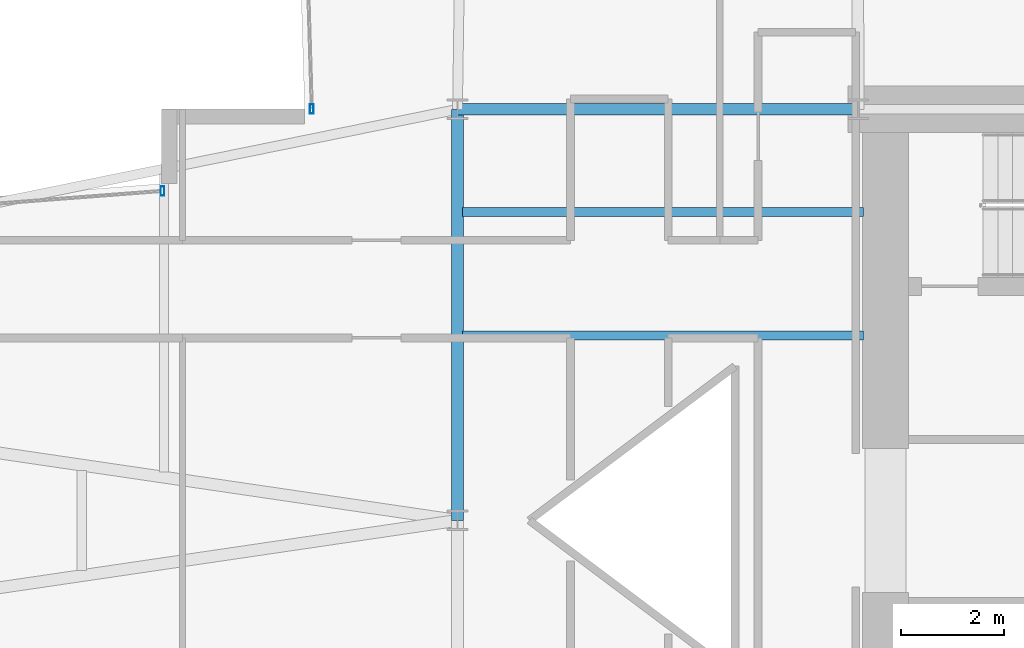
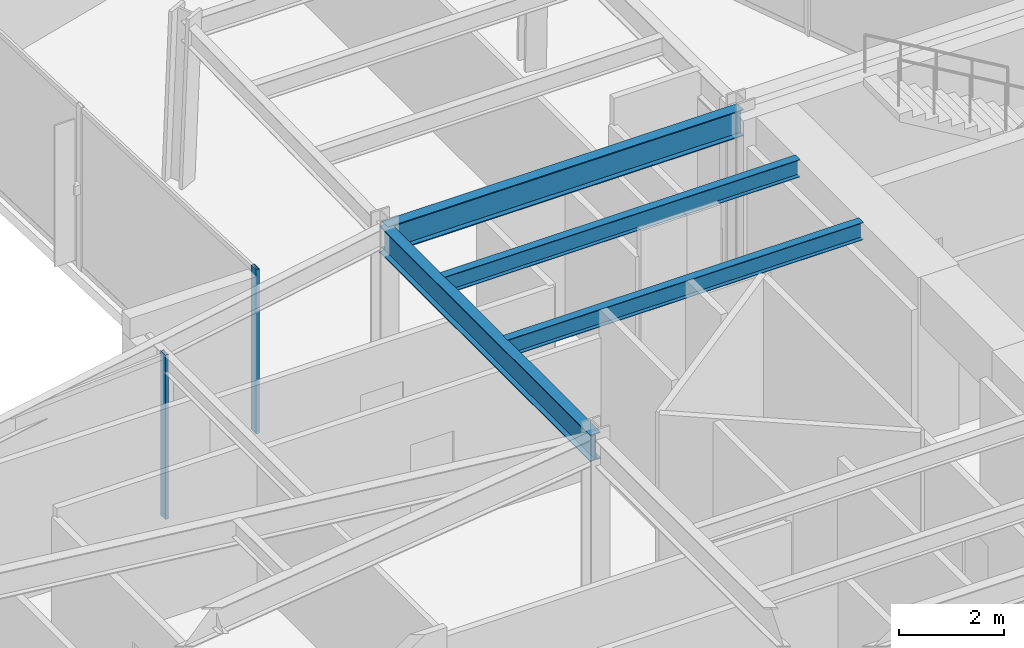
# One storey, part 12 of 28: 4 beams, 2 members, 2 elements without a shape of their own.
"""IFC4 building model written with IfcOpenShell, lengths in metres."""

from ifc_helpers import new_model, si_unit, direction, frame, origin, origin_2d, place, context, subcontext, project, spatial, hollow_rectangle, i_section, extrude, material, layer, layer_set, material_profile, profile_set, type_object, element, aggregate, save


model = new_model("IFC4")

# Units and contexts
model_context = context("Model", 3, precision=1e-05, world=origin(), true_north=direction((0.0, 1.0)))
body_context = subcontext(model_context, "Body", "Model", "MODEL_VIEW")
ifc_project = project(units=[si_unit("LENGTHUNIT", "METRE"), si_unit("AREAUNIT", "SQUARE_METRE"), si_unit("VOLUMEUNIT", "CUBIC_METRE"), si_unit("PLANEANGLEUNIT", "RADIAN"), si_unit("MASSUNIT", "GRAM", prefix="KILO")], contexts=[model_context])

# Site, building, storey
site_placement = place(None, origin())
site = spatial("IfcSite", under=ifc_project, at=site_placement, CompositionType="ELEMENT")
building_placement = place(site_placement, origin())
building = spatial("IfcBuilding", under=site, at=building_placement, Name="Veymaron Broadcast Tower", CompositionType="ELEMENT")
storey_placement = place(building_placement, frame((0.0, 0.0, 45.89990234375)))
storey = spatial("IfcBuildingStorey", under=building, at=storey_placement, Name="L09", CompositionType="ELEMENT", Elevation=45.89990234375)

# Beams
ifc_material_1 = material(Name="Structural steel ASTM A992 Gr 50", Category="steel")
ifc_material_profile_1 = material_profile(ifc_material_1, i_section(OverallWidth=0.22998046875, OverallDepth=0.616943359375, WebThickness=0.01318359375, FlangeThickness=0.022216796875, at=origin_2d()), Name="W610X140")
ifc_profile_set_1 = profile_set([ifc_material_profile_1], Name="Structural steel ASTM A992 Gr 50")
beam_type_1 = type_object("IfcBeamType", Name="BM-FG1", PredefinedType="BEAM", material=ifc_profile_set_1)
beam_1_placement = place(storey_placement, frame((31.199951171875, 24.0, 3.501708984375), z_axis=(0.0, 1.0, 0.0), x_axis=(-1.0, 0.0, 0.0)))
element("IfcBeam", 1, at=beam_1_placement, inside=storey, type_object=beam_type_1, Name="L09 primary structural floor girder", PredefinedType="BEAM", context=body_context, shape_type="SweptSolid", body=[
    extrude(i_section(OverallWidth=0.22998046875, OverallDepth=0.616943359375, WebThickness=0.01318359375, FlangeThickness=0.022216796875, at=origin_2d()), origin(), (0.0, 0.0, 1.0), 8.0),
])
beam_2_placement = place(storey_placement, frame((31.199951171875, 32.0, 3.501708984375), z_axis=(1.0, 0.0, 0.0), x_axis=(0.0, 1.0, 0.0)))
element("IfcBeam", 2, at=beam_2_placement, inside=storey, type_object=beam_type_1, Name="L09 primary structural floor girder", PredefinedType="BEAM", context=body_context, shape_type="SweptSolid", body=[
    extrude(i_section(OverallWidth=0.22998046875, OverallDepth=0.616943359375, WebThickness=0.01318359375, FlangeThickness=0.022216796875, at=origin_2d()), origin(), (0.0, 0.0, 1.0), 7.800048828125),
])
ifc_material_profile_2 = material_profile(ifc_material_1, i_section(OverallWidth=0.177978515625, OverallDepth=0.406982421875, WebThickness=0.0078125, FlangeThickness=0.0126953125, at=origin_2d()), Name="W410X60")
ifc_profile_set_2 = profile_set([ifc_material_profile_2], Name="Structural steel ASTM A992 Gr 50")
beam_type_2 = type_object("IfcBeamType", Name="BM-JS1", PredefinedType="JOIST", material=ifc_profile_set_2)
for number, where, z_axis, x_axis, name in (
    (3, (31.300048828125, 27.60009765625, 3.606689453125), (1.0, 0.0, 0.0), (0.0, 1.0, 0.0), "L09 Hub secondary joist 3"),
    (4, (31.300048828125, 30.0, 3.606689453125), (1.0, 0.0, 0.0), (0.0, 1.0, 0.0), "L09 Hub secondary joist 4"),
):
    element("IfcBeam", number, at=place(storey_placement, frame(where, z_axis=z_axis, x_axis=x_axis)), inside=storey, type_object=beam_type_2, Name=name, PredefinedType="JOIST", context=body_context, shape_type="SweptSolid", body=[
        extrude(i_section(OverallWidth=0.177978515625, OverallDepth=0.406982421875, WebThickness=0.0078125, FlangeThickness=0.0126953125, at=origin_2d()), origin(), (0.0, 0.0, 1.0), 7.800048828125),
    ])

# Curtain wall, member
ifc_material_2 = material(Name="Anodised aluminium AA 6063-T6 and laminated low-E dark glass", Category="aluminium")
ifc_layer = layer(ifc_material_2, 0.179931640625)
ifc_layer_set = layer_set([ifc_layer], Name="Anodised aluminium AA 6063-T6 and laminated low-E dark glass")
curtain_wall_type = type_object("IfcCurtainWallType", Name="CW-SYS-02", PredefinedType="NOTDEFINED", material=ifc_layer_set)
curtain_wall_1_placement = place(storey_placement, origin())
curtain_wall_1 = element("IfcCurtainWall", 5, at=curtain_wall_1_placement, inside=storey, type_object=curtain_wall_type, Name="L09 dark-glass curtain wall CW-L09-E8-1", PredefinedType="NOTDEFINED")
ifc_material_3 = material(Name="Anodised aluminium AA 6063-T6", Category="aluminium")
ifc_material_profile_3 = material_profile(ifc_material_3, hollow_rectangle(XDim=0.074951171875, YDim=0.179931640625, WallThickness=0.0048828125, at=origin_2d()), Name="AL180X75X5")
ifc_profile_set_3 = profile_set([ifc_material_profile_3], Name="Anodised aluminium AA 6063-T6")
member_type = type_object("IfcMemberType", Name="CW-MUL-02", PredefinedType="MULLION", material=ifc_profile_set_3)
member_1_placement = place(storey_placement, frame((28.364013671875, 32.004150390625, 0.0), z_axis=(0.0, 0.0, 1.0), x_axis=(1.0, 0.0, 0.0)))
member_1 = element("IfcMember", 6, at=member_1_placement, type_object=member_type, Name="CW-L09-E8-1 mullion 2", PredefinedType="MULLION", context=body_context, shape_type="SweptSolid", body=[
    extrude(hollow_rectangle(XDim=0.074951171875, YDim=0.179931640625, WallThickness=0.0048828125, at=origin_2d()), origin(), (0.0, 0.0, 1.0), 3.81005859375),
])
aggregate(curtain_wall_1, [member_1])

curtain_wall_2_placement = place(storey_placement, origin())
curtain_wall_2 = element("IfcCurtainWall", 7, at=curtain_wall_2_placement, inside=storey, type_object=curtain_wall_type, Name="L09 dark-glass curtain wall CW-L09-E11-1", PredefinedType="NOTDEFINED")
member_2_placement = place(storey_placement, frame((25.458740234375, 30.412109375, 0.0), z_axis=(0.0, 0.0, 1.0), x_axis=(1.0, 0.0, 0.0)))
member_2 = element("IfcMember", 8, at=member_2_placement, type_object=member_type, Name="CW-L09-E11-1 mullion 0", PredefinedType="MULLION", context=body_context, shape_type="SweptSolid", body=[
    extrude(hollow_rectangle(XDim=0.074951171875, YDim=0.179931640625, WallThickness=0.0048828125, at=origin_2d()), origin(), (0.0, 0.0, 1.0), 3.81005859375),
])
aggregate(curtain_wall_2, [member_2])

save(model, "model.ifc")
